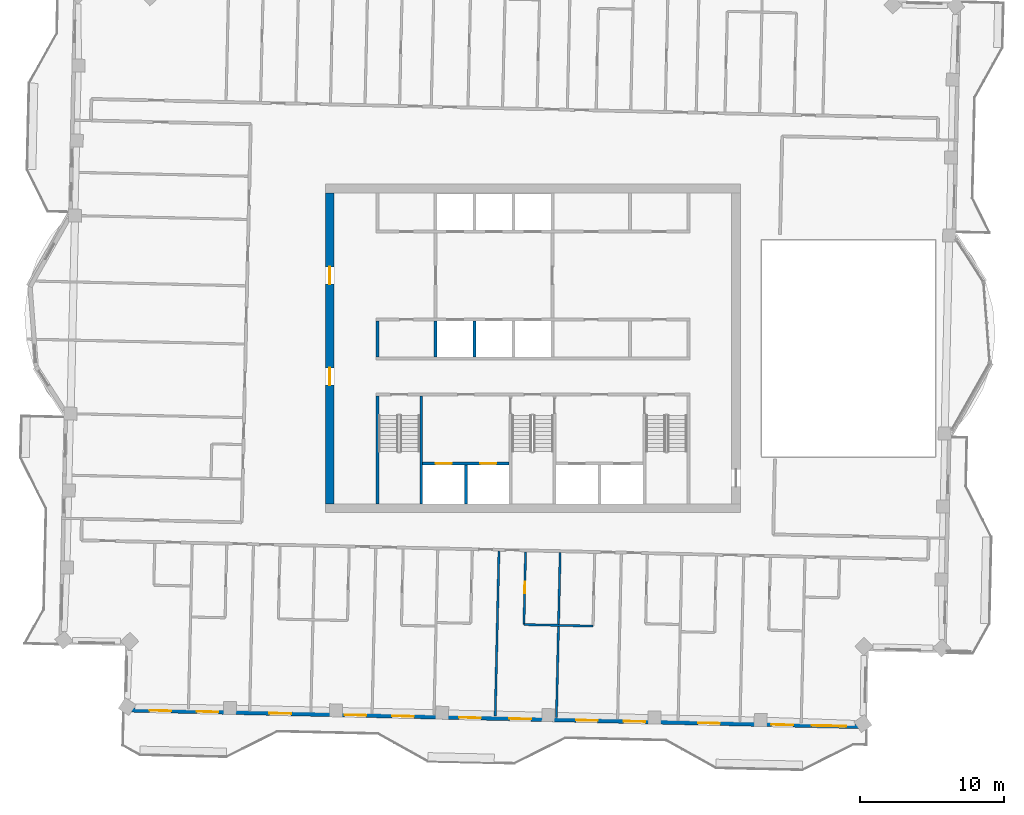
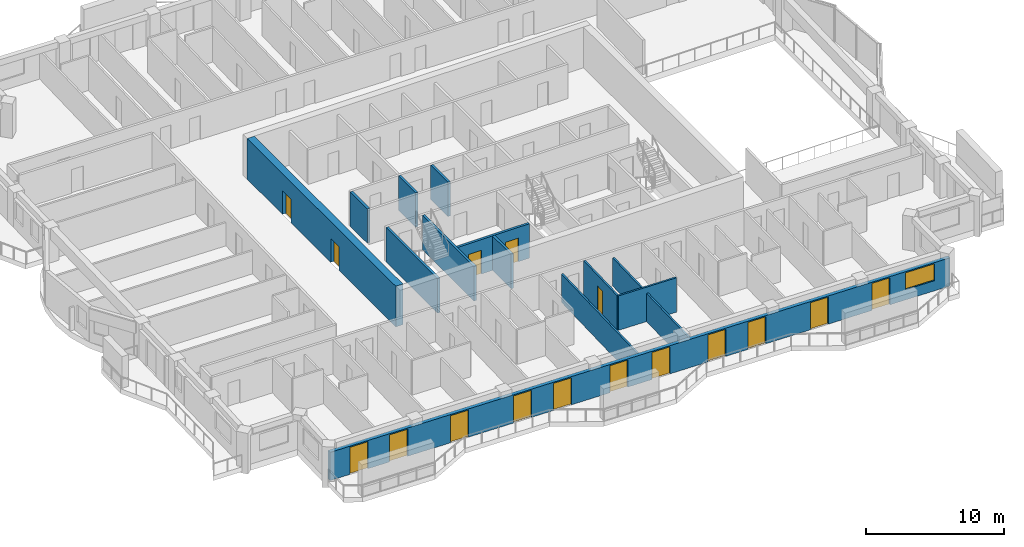
# One storey, part 5 of 15: 16 doors, 13 walls, 1 window, 17 openings.
"""IFC4 building model written with IfcOpenShell, lengths in metres."""

from ifc_helpers import new_model, si_unit, direction, frame, frame_2d, origin, place, context, subcontext, project, spatial, rectangle, extrude, material, layer, layer_set, type_object, element, fill, save


model = new_model("IFC4")

# Units and contexts
model_context = context("Model", 3, precision=1e-05, world=origin(), true_north=direction((0.0, 1.0)))
body_context = subcontext(model_context, "Body", "Model", "MODEL_VIEW")
ifc_project = project(units=[si_unit("LENGTHUNIT", "METRE"), si_unit("AREAUNIT", "SQUARE_METRE"), si_unit("VOLUMEUNIT", "CUBIC_METRE"), si_unit("PLANEANGLEUNIT", "RADIAN"), si_unit("MASSUNIT", "GRAM", prefix="KILO")], contexts=[model_context])

# Site, building, storey
site_placement = place(None, origin())
site = spatial("IfcSite", under=ifc_project, at=site_placement, CompositionType="ELEMENT")
building_placement = place(site_placement, origin())
building = spatial("IfcBuilding", under=site, at=building_placement, Name="Mangrove Gate Tower", CompositionType="ELEMENT")
storey_placement = place(building_placement, frame((0.0, 0.0, 313.300048828125)))
storey = spatial("IfcBuildingStorey", under=building, at=storey_placement, Name="L80", CompositionType="ELEMENT", Elevation=313.300048828125)

# Wall
ifc_material_1 = material(Name="Concrete C32/40", Category="concrete")
ifc_layer_1 = layer(ifc_material_1, 0.199951171875)
ifc_layer_set_1 = layer_set([ifc_layer_1], Name="Core room wall 200 C32/40")
wall_type_1 = type_object("IfcWallType", Name="Core room wall 200 C32/40", PredefinedType="STANDARD", material=ifc_layer_set_1)
wall_1_placement = place(storey_placement, frame((-10.800048828125, -0.60009765625, 0.0), z_axis=(0.0, 0.0, 1.0), x_axis=(0.0, 1.0, 0.0)))
element("IfcWall", 1, at=wall_1_placement, inside=storey, type_object=wall_type_1, Name="WALL-L80-CORE-19", PredefinedType="STANDARD", context=body_context, shape_type="SweptSolid", body=[
    extrude(rectangle(XDim=2.5, YDim=0.199951171875, at=frame_2d((1.25, 0.0))), origin(), (0.0, 0.0, 1.0), 3.050048828125),
])

# Wall, openings, doors
ifc_material_2 = material(Name="Concrete C50/60", Category="concrete")
ifc_layer_2 = layer(ifc_material_2, 0.199951171875)
ifc_layer_set_2 = layer_set([ifc_layer_2], Name="Core shaft wall 200 C50/60")
wall_type_2 = type_object("IfcWallType", Name="Core shaft wall 200 C50/60", PredefinedType="SHEAR", material=ifc_layer_set_2)
wall_2_placement = place(storey_placement, frame((-7.64990234375, -8.0, 0.0), z_axis=(0.0, 0.0, 1.0), x_axis=(1.0, 0.0, 0.0)))
wall_2 = element("IfcWall", 2, at=wall_2_placement, inside=storey, type_object=wall_type_2, Name="WALL-L80-CORE-15", PredefinedType="SHEAR", context=body_context, shape_type="SweptSolid", body=[
    extrude(rectangle(XDim=6.0, YDim=0.199951171875, at=frame_2d((3.0, 0.0))), origin(), (0.0, 0.0, 1.0), 3.050048828125),
])
opening_1_placement = place(wall_2_placement, frame((0.89990234375, 0.0, 0.0)))
opening_1 = element("IfcOpeningElement", 3, at=opening_1_placement, cuts=wall_2, Name="Opening LD", PredefinedType="OPENING", context=body_context, shape_type="SweptSolid", body=[
    extrude(rectangle(XDim=1.10009765625, YDim=2.10009765625, at=frame_2d((0.550048828125, 1.050048828125))), frame((0.0, 0.10986328125, 0.0), z_axis=(0.0, -1.0, 0.0), x_axis=(1.0, 0.0, 0.0)), (0.0, 0.0, 1.0), 0.219970703125),
])
opening_2_placement = place(wall_2_placement, frame((4.0, 0.0, 0.0)))
opening_2 = element("IfcOpeningElement", 4, at=opening_2_placement, cuts=wall_2, Name="Opening LD", PredefinedType="OPENING", context=body_context, shape_type="SweptSolid", body=[
    extrude(rectangle(XDim=1.10009765625, YDim=2.10009765625, at=frame_2d((0.550048828125, 1.050048828125))), frame((0.0, 0.10986328125, 0.0), z_axis=(0.0, -1.0, 0.0), x_axis=(1.0, 0.0, 0.0)), (0.0, 0.0, 1.0), 0.219970703125),
])
ifc_material_3 = material(Name="Stainless steel 316", Category="steel")
door_type_1 = type_object("IfcDoorType", Name="Lift landing door 1100x2100", OperationType="SLIDING_TO_LEFT", PredefinedType="DOOR", material=ifc_material_3)
door_1_placement = place(opening_1_placement, origin())
door_1 = element("IfcDoor", 5, at=door_1_placement, inside=storey, type_object=door_type_1, Name="Landing door LD SVL1", OperationType="SLIDING_TO_LEFT", OverallHeight=2.10009765625, OverallWidth=1.10009765625, PredefinedType="DOOR", context=body_context, shape_type="SweptSolid", body=[
    extrude(rectangle(XDim=1.10009765625, YDim=2.10009765625, at=frame_2d((0.550048828125, 1.050048828125))), frame((0.0, 0.02490234375, 0.0), z_axis=(0.0, -1.0, 0.0), x_axis=(1.0, 0.0, 0.0)), (0.0, 0.0, 1.0), 0.050048828125),
])
fill(opening_1, door_1)
door_2_placement = place(opening_2_placement, origin())
door_2 = element("IfcDoor", 6, at=door_2_placement, inside=storey, type_object=door_type_1, Name="Landing door LD SVL2", OperationType="SLIDING_TO_LEFT", OverallHeight=2.10009765625, OverallWidth=1.10009765625, PredefinedType="DOOR", context=body_context, shape_type="SweptSolid", body=[
    extrude(rectangle(XDim=1.10009765625, YDim=2.10009765625, at=frame_2d((0.550048828125, 1.050048828125))), frame((0.0, 0.02490234375, 0.0), z_axis=(0.0, -1.0, 0.0), x_axis=(1.0, 0.0, 0.0)), (0.0, 0.0, 1.0), 0.050048828125),
])
fill(opening_2, door_2)

# Walls
wall_3_placement = place(storey_placement, frame((-4.64990234375, -10.800048828125, 0.0), z_axis=(0.0, 0.0, 1.0), x_axis=(0.0, 1.0, 0.0)))
element("IfcWall", 7, at=wall_3_placement, inside=storey, type_object=wall_type_2, Name="WALL-L80-CORE-16", PredefinedType="SHEAR", context=body_context, shape_type="SweptSolid", body=[
    extrude(rectangle(XDim=2.699951171875, YDim=0.199951171875, at=frame_2d((1.35009765625, 0.0))), origin(), (0.0, 0.0, 1.0), 3.050048828125),
])
for number, where, z_axis, x_axis, name in (
    (8, (-6.75, -0.60009765625, 0.0), (0.0, 0.0, 1.0), (0.0, 1.0, 0.0), "WALL-L80-CORE-20"),
    (9, (-4.050048828125, -0.60009765625, 0.0), (0.0, 0.0, 1.0), (0.0, 1.0, 0.0), "WALL-L80-CORE-21"),
):
    element("IfcWall", number, at=place(storey_placement, frame(where, z_axis=z_axis, x_axis=x_axis)), inside=storey, type_object=wall_type_2, Name=name, PredefinedType="SHEAR", context=body_context, shape_type="SweptSolid", body=[
        extrude(rectangle(XDim=2.5, YDim=0.199951171875, at=frame_2d((1.25, 0.0))), origin(), (0.0, 0.0, 1.0), 3.050048828125),
    ])
ifc_material_4 = material(Name="Concrete C50/60", Category="concrete")
ifc_layer_3 = layer(ifc_material_4, 0.199951171875)
ifc_layer_set_3 = layer_set([ifc_layer_3], Name="Core stair wall 200 C50/60")
wall_type_3 = type_object("IfcWallType", Name="Core stair wall 200 C50/60", PredefinedType="SHEAR", material=ifc_layer_set_3)
for number, where, z_axis, x_axis, name in (
    (10, (-10.800048828125, -10.800048828125, 0.0), (0.0, 0.0, 1.0), (0.0, 1.0, 0.0), "WALL-L80-CORE-9"),
    (11, (-7.75, -10.800048828125, 0.0), (0.0, 0.0, 1.0), (0.0, 1.0, 0.0), "WALL-L80-CORE-10"),
):
    element("IfcWall", number, at=place(storey_placement, frame(where, z_axis=z_axis, x_axis=x_axis)), inside=storey, type_object=wall_type_3, Name=name, PredefinedType="SHEAR", context=body_context, shape_type="SweptSolid", body=[
        extrude(rectangle(XDim=7.5, YDim=0.199951171875, at=frame_2d((3.75, 0.0))), origin(), (0.0, 0.0, 1.0), 3.050048828125),
    ])

# Wall, openings, doors
ifc_material_5 = material(Name="Concrete C50/60", Category="concrete")
ifc_layer_4 = layer(ifc_material_5, 0.60009765625)
ifc_layer_set_4 = layer_set([ifc_layer_4], Name="Core wall 600 C50/60")
wall_type_4 = type_object("IfcWallType", Name="Core wall 600 C50/60", PredefinedType="SHEAR", material=ifc_layer_set_4)
wall_4_placement = place(storey_placement, frame((-14.10009765625, -10.800048828125, 0.0), z_axis=(0.0, 0.0, 1.0), x_axis=(0.0, 1.0, 0.0)))
wall_4 = element("IfcWall", 12, at=wall_4_placement, inside=storey, type_object=wall_type_4, Name="WALL-L80-CORE-3", PredefinedType="SHEAR", context=body_context, shape_type="SweptSolid", body=[
    extrude(rectangle(XDim=21.60009765625, YDim=0.60009765625, at=frame_2d((10.800048828125, 0.0))), origin(), (0.0, 0.0, 1.0), 3.599853515625),
])
opening_3_placement = place(wall_4_placement, frame((8.25, 0.0, 0.0)))
opening_3 = element("IfcOpeningElement", 13, at=opening_3_placement, cuts=wall_4, Name="Opening CD", PredefinedType="OPENING", context=body_context, shape_type="SweptSolid", body=[
    extrude(rectangle(XDim=1.199951171875, YDim=2.10009765625, at=frame_2d((0.60009765625, 1.050048828125))), frame((0.0, 0.31005859375, 0.0), z_axis=(0.0, -1.0, 0.0), x_axis=(1.0, 0.0, 0.0)), (0.0, 0.0, 1.0), 0.6201171875),
])
opening_4_placement = place(wall_4_placement, frame((15.25, 0.0, 0.0)))
opening_4 = element("IfcOpeningElement", 14, at=opening_4_placement, cuts=wall_4, Name="Opening CD", PredefinedType="OPENING", context=body_context, shape_type="SweptSolid", body=[
    extrude(rectangle(XDim=1.199951171875, YDim=2.10009765625, at=frame_2d((0.60009765625, 1.050048828125))), frame((0.0, 0.31005859375, 0.0), z_axis=(0.0, -1.0, 0.0), x_axis=(1.0, 0.0, 0.0)), (0.0, 0.0, 1.0), 0.6201171875),
])
ifc_material_6 = material(Name="Fire-rated steel door set", Category="steel")
door_type_2 = type_object("IfcDoorType", Name="Core ring door FD60 1200x2100", OperationType="DOUBLE_DOOR_SINGLE_SWING", PredefinedType="DOOR", material=ifc_material_6)
door_3_placement = place(opening_3_placement, origin())
door_3 = element("IfcDoor", 15, at=door_3_placement, inside=storey, type_object=door_type_2, Name="Core ring door W1", OperationType="DOUBLE_DOOR_SINGLE_SWING", OverallHeight=2.10009765625, OverallWidth=1.199951171875, PredefinedType="DOOR", context=body_context, shape_type="SweptSolid", body=[
    extrude(rectangle(XDim=1.199951171875, YDim=2.10009765625, at=frame_2d((0.60009765625, 1.050048828125))), frame((0.0, 0.02490234375, 0.0), z_axis=(0.0, -1.0, 0.0), x_axis=(1.0, 0.0, 0.0)), (0.0, 0.0, 1.0), 0.050048828125),
])
fill(opening_3, door_3)
door_4_placement = place(opening_4_placement, origin())
door_4 = element("IfcDoor", 16, at=door_4_placement, inside=storey, type_object=door_type_2, Name="Core ring door W2", OperationType="DOUBLE_DOOR_SINGLE_SWING", OverallHeight=2.10009765625, OverallWidth=1.199951171875, PredefinedType="DOOR", context=body_context, shape_type="SweptSolid", body=[
    extrude(rectangle(XDim=1.199951171875, YDim=2.10009765625, at=frame_2d((0.60009765625, 1.050048828125))), frame((0.0, 0.02490234375, 0.0), z_axis=(0.0, -1.0, 0.0), x_axis=(1.0, 0.0, 0.0)), (0.0, 0.0, 1.0), 0.050048828125),
])
fill(opening_4, door_4)

# Wall, openings, doors, window
ifc_material_7 = material(Name="Limestone", Category="masonry")
ifc_layer_5 = layer(ifc_material_7, 0.0400390625, Name="Limestone cladding")
ifc_material_8 = material(Name="Ventilated air gap")
ifc_layer_6 = layer(ifc_material_8, 0.0400390625, Name="Ventilated cavity")
ifc_material_9 = material(Name="Mineral wool insulation")
ifc_layer_7 = layer(ifc_material_9, 0.06005859375, Name="Insulation")
ifc_material_10 = material(Name="Breather membrane")
ifc_layer_8 = layer(ifc_material_10, 0.001953125, Name="Breather membrane")
ifc_material_11 = material(Name="Concrete C20/25 blockwork", Category="masonry")
ifc_layer_9 = layer(ifc_material_11, 0.14990234375, Name="Blockwork backing wall")
ifc_material_12 = material(Name="Gypsum plaster")
ifc_layer_10 = layer(ifc_material_12, 0.008056640625, Name="Internal plaster")
ifc_layer_set_5 = layer_set([ifc_layer_5, ifc_layer_6, ifc_layer_7, ifc_layer_8, ifc_layer_9, ifc_layer_10], Name="External wall 300 limestone cladding")
wall_type_5 = type_object("IfcWallType", Name="External wall 300 limestone cladding", PredefinedType="SOLIDWALL", material=ifc_layer_set_5)
wall_5_placement = place(storey_placement, frame((-28.263916015625, -25.10205078125, 0.0), z_axis=(0.0, 0.0, 1.0), x_axis=(0.999742520573, -0.022691244094, 0.0)))
wall_5 = element("IfcWall", 17, at=wall_5_placement, inside=storey, type_object=wall_type_5, Name="WALL-L80-S13", PredefinedType="SOLIDWALL", context=body_context, shape_type="SweptSolid", body=[
    extrude(rectangle(XDim=51.300048828125, YDim=0.300048828125, at=frame_2d((25.64990234375, 0.0))), origin(), (0.0, 0.0, 1.0), 2.5),
])
opening_5_placement = place(wall_5_placement, frame((1.654052734375, 0.0, 0.0)))
opening_5 = element("IfcOpeningElement", 18, at=opening_5_placement, cuts=wall_5, Name="Opening BD1", PredefinedType="OPENING", context=body_context, shape_type="SweptSolid", body=[
    extrude(rectangle(XDim=1.5, YDim=2.39990234375, at=frame_2d((0.75, 1.199951171875))), frame((0.0, 0.159912109375, 0.0), z_axis=(0.0, -1.0, 0.0), x_axis=(1.0, 0.0, 0.0)), (0.0, 0.0, 1.0), 0.320068359375),
])
opening_6_placement = place(wall_5_placement, frame((4.93603515625, 0.0, 0.0)))
opening_6 = element("IfcOpeningElement", 19, at=opening_6_placement, cuts=wall_5, Name="Opening BD1", PredefinedType="OPENING", context=body_context, shape_type="SweptSolid", body=[
    extrude(rectangle(XDim=1.5, YDim=2.39990234375, at=frame_2d((0.75, 1.199951171875))), frame((0.0, 0.159912109375, 0.0), z_axis=(0.0, -1.0, 0.0), x_axis=(1.0, 0.0, 0.0)), (0.0, 0.0, 1.0), 0.320068359375),
])
opening_7_placement = place(wall_5_placement, frame((9.97509765625, 0.0, 0.0)))
opening_7 = element("IfcOpeningElement", 20, at=opening_7_placement, cuts=wall_5, Name="Opening BD1", PredefinedType="OPENING", context=body_context, shape_type="SweptSolid", body=[
    extrude(rectangle(XDim=1.5, YDim=2.39990234375, at=frame_2d((0.75, 1.199951171875))), frame((0.0, 0.159912109375, 0.0), z_axis=(0.0, -1.0, 0.0), x_axis=(1.0, 0.0, 0.0)), (0.0, 0.0, 1.0), 0.320068359375),
])
opening_8_placement = place(wall_5_placement, frame((15.196044921875, 0.0, 0.0)))
opening_8 = element("IfcOpeningElement", 21, at=opening_8_placement, cuts=wall_5, Name="Opening BD1", PredefinedType="OPENING", context=body_context, shape_type="SweptSolid", body=[
    extrude(rectangle(XDim=1.5, YDim=2.39990234375, at=frame_2d((0.75, 1.199951171875))), frame((0.0, 0.159912109375, 0.0), z_axis=(0.0, -1.0, 0.0), x_axis=(1.0, 0.0, 0.0)), (0.0, 0.0, 1.0), 0.320068359375),
])
opening_9_placement = place(wall_5_placement, frame((18.5, 0.0, 0.0)))
opening_9 = element("IfcOpeningElement", 22, at=opening_9_placement, cuts=wall_5, Name="Opening BD1", PredefinedType="OPENING", context=body_context, shape_type="SweptSolid", body=[
    extrude(rectangle(XDim=1.5, YDim=2.39990234375, at=frame_2d((0.75, 1.199951171875))), frame((0.0, 0.159912109375, 0.0), z_axis=(0.0, -1.0, 0.0), x_axis=(1.0, 0.0, 0.0)), (0.0, 0.0, 1.0), 0.320068359375),
])
opening_10_placement = place(wall_5_placement, frame((23.156982421875, 0.0, 0.0)))
opening_10 = element("IfcOpeningElement", 23, at=opening_10_placement, cuts=wall_5, Name="Opening BD1", PredefinedType="OPENING", context=body_context, shape_type="SweptSolid", body=[
    extrude(rectangle(XDim=1.5, YDim=2.39990234375, at=frame_2d((0.75, 1.199951171875))), frame((0.0, 0.159912109375, 0.0), z_axis=(0.0, -1.0, 0.0), x_axis=(1.0, 0.0, 0.0)), (0.0, 0.0, 1.0), 0.320068359375),
])
opening_11_placement = place(wall_5_placement, frame((26.64306640625, 0.0, 0.0)))
opening_11 = element("IfcOpeningElement", 24, at=opening_11_placement, cuts=wall_5, Name="Opening BD1", PredefinedType="OPENING", context=body_context, shape_type="SweptSolid", body=[
    extrude(rectangle(XDim=1.5, YDim=2.39990234375, at=frame_2d((0.75, 1.199951171875))), frame((0.0, 0.159912109375, 0.0), z_axis=(0.0, -1.0, 0.0), x_axis=(1.0, 0.0, 0.0)), (0.0, 0.0, 1.0), 0.320068359375),
])
opening_12_placement = place(wall_5_placement, frame((31.27490234375, 0.0, 0.0)))
opening_12 = element("IfcOpeningElement", 25, at=opening_12_placement, cuts=wall_5, Name="Opening BD1", PredefinedType="OPENING", context=body_context, shape_type="SweptSolid", body=[
    extrude(rectangle(XDim=1.5, YDim=2.39990234375, at=frame_2d((0.75, 1.199951171875))), frame((0.0, 0.159912109375, 0.0), z_axis=(0.0, -1.0, 0.0), x_axis=(1.0, 0.0, 0.0)), (0.0, 0.0, 1.0), 0.320068359375),
])
opening_13_placement = place(wall_5_placement, frame((34.577880859375, 0.0, 0.0)))
opening_13 = element("IfcOpeningElement", 26, at=opening_13_placement, cuts=wall_5, Name="Opening BD1", PredefinedType="OPENING", context=body_context, shape_type="SweptSolid", body=[
    extrude(rectangle(XDim=1.5, YDim=2.39990234375, at=frame_2d((0.75, 1.199951171875))), frame((0.0, 0.159912109375, 0.0), z_axis=(0.0, -1.0, 0.0), x_axis=(1.0, 0.0, 0.0)), (0.0, 0.0, 1.0), 0.320068359375),
])
opening_14_placement = place(wall_5_placement, frame((39.75, 0.0, 0.0)))
opening_14 = element("IfcOpeningElement", 27, at=opening_14_placement, cuts=wall_5, Name="Opening BD1", PredefinedType="OPENING", context=body_context, shape_type="SweptSolid", body=[
    extrude(rectangle(XDim=1.5, YDim=2.39990234375, at=frame_2d((0.75, 1.199951171875))), frame((0.0, 0.159912109375, 0.0), z_axis=(0.0, -1.0, 0.0), x_axis=(1.0, 0.0, 0.0)), (0.0, 0.0, 1.0), 0.320068359375),
])
opening_15_placement = place(wall_5_placement, frame((44.839111328125, 0.0, 0.0)))
opening_15 = element("IfcOpeningElement", 28, at=opening_15_placement, cuts=wall_5, Name="Opening BD1", PredefinedType="OPENING", context=body_context, shape_type="SweptSolid", body=[
    extrude(rectangle(XDim=1.5, YDim=2.39990234375, at=frame_2d((0.75, 1.199951171875))), frame((0.0, 0.159912109375, 0.0), z_axis=(0.0, -1.0, 0.0), x_axis=(1.0, 0.0, 0.0)), (0.0, 0.0, 1.0), 0.320068359375),
])
opening_16_placement = place(wall_5_placement, frame((47.6279296875, 0.0, 0.89990234375)))
opening_16 = element("IfcOpeningElement", 29, at=opening_16_placement, cuts=wall_5, Name="Opening W2", PredefinedType="OPENING", context=body_context, shape_type="SweptSolid", body=[
    extrude(rectangle(XDim=2.39990234375, YDim=1.5, at=frame_2d((1.199951171875, 0.75))), frame((0.0, 0.159912109375, 0.0), z_axis=(0.0, -1.0, 0.0), x_axis=(1.0, 0.0, 0.0)), (0.0, 0.0, 1.0), 0.320068359375),
])
ifc_material_13 = material(Name="Aluminium frame with laminated clear glass", Category="aluminium")
door_type_3 = type_object("IfcDoorType", Name="Balcony sliding door 1500x2400", OperationType="SLIDING_TO_LEFT", PredefinedType="DOOR", material=ifc_material_13)
door_5_placement = place(opening_5_placement, origin())
door_5 = element("IfcDoor", 30, at=door_5_placement, inside=storey, type_object=door_type_3, Name="DOOR-L80-S13-1", OperationType="SLIDING_TO_LEFT", OverallHeight=2.39990234375, OverallWidth=1.5, PredefinedType="DOOR", context=body_context, shape_type="SweptSolid", body=[
    extrude(rectangle(XDim=1.5, YDim=2.39990234375, at=frame_2d((0.75, 1.199951171875))), frame((0.0, 0.02490234375, 0.0), z_axis=(0.0, -1.0, 0.0), x_axis=(1.0, 0.0, 0.0)), (0.0, 0.0, 1.0), 0.050048828125),
])
fill(opening_5, door_5)
door_6_placement = place(opening_6_placement, origin())
door_6 = element("IfcDoor", 31, at=door_6_placement, inside=storey, type_object=door_type_3, Name="DOOR-L80-S13-2", OperationType="SLIDING_TO_LEFT", OverallHeight=2.39990234375, OverallWidth=1.5, PredefinedType="DOOR", context=body_context, shape_type="SweptSolid", body=[
    extrude(rectangle(XDim=1.5, YDim=2.39990234375, at=frame_2d((0.75, 1.199951171875))), frame((0.0, 0.02490234375, 0.0), z_axis=(0.0, -1.0, 0.0), x_axis=(1.0, 0.0, 0.0)), (0.0, 0.0, 1.0), 0.050048828125),
])
fill(opening_6, door_6)
door_7_placement = place(opening_7_placement, origin())
door_7 = element("IfcDoor", 32, at=door_7_placement, inside=storey, type_object=door_type_3, Name="DOOR-L80-S13-3", OperationType="SLIDING_TO_LEFT", OverallHeight=2.39990234375, OverallWidth=1.5, PredefinedType="DOOR", context=body_context, shape_type="SweptSolid", body=[
    extrude(rectangle(XDim=1.5, YDim=2.39990234375, at=frame_2d((0.75, 1.199951171875))), frame((0.0, 0.02490234375, 0.0), z_axis=(0.0, -1.0, 0.0), x_axis=(1.0, 0.0, 0.0)), (0.0, 0.0, 1.0), 0.050048828125),
])
fill(opening_7, door_7)
door_8_placement = place(opening_8_placement, origin())
door_8 = element("IfcDoor", 33, at=door_8_placement, inside=storey, type_object=door_type_3, Name="DOOR-L80-S13-4", OperationType="SLIDING_TO_LEFT", OverallHeight=2.39990234375, OverallWidth=1.5, PredefinedType="DOOR", context=body_context, shape_type="SweptSolid", body=[
    extrude(rectangle(XDim=1.5, YDim=2.39990234375, at=frame_2d((0.75, 1.199951171875))), frame((0.0, 0.02490234375, 0.0), z_axis=(0.0, -1.0, 0.0), x_axis=(1.0, 0.0, 0.0)), (0.0, 0.0, 1.0), 0.050048828125),
])
fill(opening_8, door_8)
door_9_placement = place(opening_9_placement, origin())
door_9 = element("IfcDoor", 34, at=door_9_placement, inside=storey, type_object=door_type_3, Name="DOOR-L80-S13-5", OperationType="SLIDING_TO_LEFT", OverallHeight=2.39990234375, OverallWidth=1.5, PredefinedType="DOOR", context=body_context, shape_type="SweptSolid", body=[
    extrude(rectangle(XDim=1.5, YDim=2.39990234375, at=frame_2d((0.75, 1.199951171875))), frame((0.0, 0.02490234375, 0.0), z_axis=(0.0, -1.0, 0.0), x_axis=(1.0, 0.0, 0.0)), (0.0, 0.0, 1.0), 0.050048828125),
])
fill(opening_9, door_9)
door_10_placement = place(opening_10_placement, origin())
door_10 = element("IfcDoor", 35, at=door_10_placement, inside=storey, type_object=door_type_3, Name="DOOR-L80-S13-6", OperationType="SLIDING_TO_LEFT", OverallHeight=2.39990234375, OverallWidth=1.5, PredefinedType="DOOR", context=body_context, shape_type="SweptSolid", body=[
    extrude(rectangle(XDim=1.5, YDim=2.39990234375, at=frame_2d((0.75, 1.199951171875))), frame((0.0, 0.02490234375, 0.0), z_axis=(0.0, -1.0, 0.0), x_axis=(1.0, 0.0, 0.0)), (0.0, 0.0, 1.0), 0.050048828125),
])
fill(opening_10, door_10)
door_11_placement = place(opening_11_placement, origin())
door_11 = element("IfcDoor", 36, at=door_11_placement, inside=storey, type_object=door_type_3, Name="DOOR-L80-S13-7", OperationType="SLIDING_TO_LEFT", OverallHeight=2.39990234375, OverallWidth=1.5, PredefinedType="DOOR", context=body_context, shape_type="SweptSolid", body=[
    extrude(rectangle(XDim=1.5, YDim=2.39990234375, at=frame_2d((0.75, 1.199951171875))), frame((0.0, 0.02490234375, 0.0), z_axis=(0.0, -1.0, 0.0), x_axis=(1.0, 0.0, 0.0)), (0.0, 0.0, 1.0), 0.050048828125),
])
fill(opening_11, door_11)
door_12_placement = place(opening_12_placement, origin())
door_12 = element("IfcDoor", 37, at=door_12_placement, inside=storey, type_object=door_type_3, Name="DOOR-L80-S13-8", OperationType="SLIDING_TO_LEFT", OverallHeight=2.39990234375, OverallWidth=1.5, PredefinedType="DOOR", context=body_context, shape_type="SweptSolid", body=[
    extrude(rectangle(XDim=1.5, YDim=2.39990234375, at=frame_2d((0.75, 1.199951171875))), frame((0.0, 0.02490234375, 0.0), z_axis=(0.0, -1.0, 0.0), x_axis=(1.0, 0.0, 0.0)), (0.0, 0.0, 1.0), 0.050048828125),
])
fill(opening_12, door_12)
door_13_placement = place(opening_13_placement, origin())
door_13 = element("IfcDoor", 38, at=door_13_placement, inside=storey, type_object=door_type_3, Name="DOOR-L80-S13-9", OperationType="SLIDING_TO_LEFT", OverallHeight=2.39990234375, OverallWidth=1.5, PredefinedType="DOOR", context=body_context, shape_type="SweptSolid", body=[
    extrude(rectangle(XDim=1.5, YDim=2.39990234375, at=frame_2d((0.75, 1.199951171875))), frame((0.0, 0.02490234375, 0.0), z_axis=(0.0, -1.0, 0.0), x_axis=(1.0, 0.0, 0.0)), (0.0, 0.0, 1.0), 0.050048828125),
])
fill(opening_13, door_13)
door_14_placement = place(opening_14_placement, origin())
door_14 = element("IfcDoor", 39, at=door_14_placement, inside=storey, type_object=door_type_3, Name="DOOR-L80-S13-10", OperationType="SLIDING_TO_LEFT", OverallHeight=2.39990234375, OverallWidth=1.5, PredefinedType="DOOR", context=body_context, shape_type="SweptSolid", body=[
    extrude(rectangle(XDim=1.5, YDim=2.39990234375, at=frame_2d((0.75, 1.199951171875))), frame((0.0, 0.02490234375, 0.0), z_axis=(0.0, -1.0, 0.0), x_axis=(1.0, 0.0, 0.0)), (0.0, 0.0, 1.0), 0.050048828125),
])
fill(opening_14, door_14)
door_15_placement = place(opening_15_placement, origin())
door_15 = element("IfcDoor", 40, at=door_15_placement, inside=storey, type_object=door_type_3, Name="DOOR-L80-S13-11", OperationType="SLIDING_TO_LEFT", OverallHeight=2.39990234375, OverallWidth=1.5, PredefinedType="DOOR", context=body_context, shape_type="SweptSolid", body=[
    extrude(rectangle(XDim=1.5, YDim=2.39990234375, at=frame_2d((0.75, 1.199951171875))), frame((0.0, 0.02490234375, 0.0), z_axis=(0.0, -1.0, 0.0), x_axis=(1.0, 0.0, 0.0)), (0.0, 0.0, 1.0), 0.050048828125),
])
fill(opening_15, door_15)
ifc_material_14 = material(Name="Aluminium frame with double-glazed low-e glass", Category="aluminium")
window_type = type_object("IfcWindowType", Name="Corner room window 2400x1500", PartitioningType="DOUBLE_PANEL_VERTICAL", PredefinedType="WINDOW", material=ifc_material_14)
window_placement = place(opening_16_placement, origin())
window = element("IfcWindow", 41, at=window_placement, inside=storey, type_object=window_type, Name="WIN-L80-S13-12", OverallHeight=1.5, OverallWidth=2.39990234375, PartitioningType="DOUBLE_PANEL_VERTICAL", PredefinedType="WINDOW", context=body_context, shape_type="SweptSolid", body=[
    extrude(rectangle(XDim=2.39990234375, YDim=1.5, at=frame_2d((1.199951171875, 0.75))), frame((0.0, 0.030029296875, 0.0), z_axis=(0.0, -1.0, 0.0), x_axis=(1.0, 0.0, 0.0)), (0.0, 0.0, 1.0), 0.06005859375),
])
fill(opening_16, window)

# Walls
ifc_material_15 = material(Name="Gypsum board on steel stud, EI 60", Category="steel")
ifc_layer_11 = layer(ifc_material_15, 0.14990234375)
ifc_layer_set_6 = layer_set([ifc_layer_11], Name="Party wall 150 EI 60")
wall_type_6 = type_object("IfcWallType", Name="Party wall 150 EI 60", PredefinedType="PARTITIONING", material=ifc_layer_set_6)
wall_6_placement = place(storey_placement, frame((-2.616943359375, -25.533935546875, 0.0), z_axis=(0.0, 0.0, 1.0), x_axis=(0.022708327922, 0.999742132674, 0.0)))
element("IfcWall", 42, at=wall_6_placement, inside=storey, type_object=wall_type_6, Name="WALL-L80-006", PredefinedType="PARTITIONING", context=body_context, shape_type="SweptSolid", body=[
    extrude(rectangle(XDim=11.449951171875, YDim=0.14990234375, at=frame_2d((5.72509765625, 0.0))), origin(), (0.0, 0.0, 1.0), 2.5),
])
wall_7_placement = place(storey_placement, frame((1.632080078125, -25.6298828125, 0.0), z_axis=(0.0, 0.0, 1.0), x_axis=(0.022708812003, 0.999742121678, 0.0)))
element("IfcWall", 43, at=wall_7_placement, inside=storey, type_object=wall_type_6, Name="WALL-L80-007", PredefinedType="PARTITIONING", context=body_context, shape_type="SweptSolid", body=[
    extrude(rectangle(XDim=11.44970703125, YDim=0.14990234375, at=frame_2d((5.724853515625, 0.0))), origin(), (0.0, 0.0, 1.0), 2.5),
])
wall_8_placement = place(storey_placement, frame((-0.6220703125, -19.177978515625, 0.0), z_axis=(0.0, 0.0, 1.0), x_axis=(0.999747191239, -0.022484519337, 0.0)))
element("IfcWall", 44, at=wall_8_placement, inside=storey, type_object=wall_type_6, Name="WALL-L80-023", PredefinedType="PARTITIONING", context=body_context, shape_type="SweptSolid", body=[
    extrude(rectangle(XDim=4.79931640625, YDim=0.14990234375, at=frame_2d((2.399658203125, 0.0))), origin(), (0.0, 0.0, 1.0), 3.050048828125),
])

# Wall, opening, door
wall_9_placement = place(storey_placement, frame((-0.6220703125, -19.177978515625, 0.0), z_axis=(0.0, 0.0, 1.0), x_axis=(0.02257535817, 0.999745144126, 0.0)))
wall_9 = element("IfcWall", 45, at=wall_9_placement, inside=storey, type_object=wall_type_6, Name="WALL-L80-024", PredefinedType="PARTITIONING", context=body_context, shape_type="SweptSolid", body=[
    extrude(rectangle(XDim=5.05029296875, YDim=0.14990234375, at=frame_2d((2.525146484375, 0.0))), origin(), (0.0, 0.0, 1.0), 3.050048828125),
])
opening_17_placement = place(wall_9_placement, frame((2.175048828125, 0.0, 0.0)))
opening_17 = element("IfcOpeningElement", 46, at=opening_17_placement, cuts=wall_9, Name="Opening ED", PredefinedType="OPENING", context=body_context, shape_type="SweptSolid", body=[
    extrude(rectangle(XDim=0.800048828125, YDim=2.10009765625, at=frame_2d((0.39990234375, 1.050048828125))), frame((0.0, 0.0849609375, 0.0), z_axis=(0.0, -1.0, 0.0), x_axis=(1.0, 0.0, 0.0)), (0.0, 0.0, 1.0), 0.169921875),
])
ifc_material_16 = material(Name="Timber door leaf", Category="wood")
door_type_4 = type_object("IfcDoorType", Name="En-suite door 800", OperationType="SINGLE_SWING_LEFT", PredefinedType="DOOR", material=ifc_material_16)
door_16_placement = place(opening_17_placement, origin())
door_16 = element("IfcDoor", 47, at=door_16_placement, inside=storey, type_object=door_type_4, Name="DOOR-L80-ENS-c206", OperationType="SINGLE_SWING_RIGHT", OverallHeight=2.10009765625, OverallWidth=0.800048828125, PredefinedType="DOOR", context=body_context, shape_type="SweptSolid", body=[
    extrude(rectangle(XDim=0.800048828125, YDim=2.10009765625, at=frame_2d((0.39990234375, 1.050048828125))), frame((0.0, 0.02490234375, 0.0), z_axis=(0.0, -1.0, 0.0), x_axis=(1.0, 0.0, 0.0)), (0.0, 0.0, 1.0), 0.050048828125),
])
fill(opening_17, door_16)

save(model, "model.ifc")
